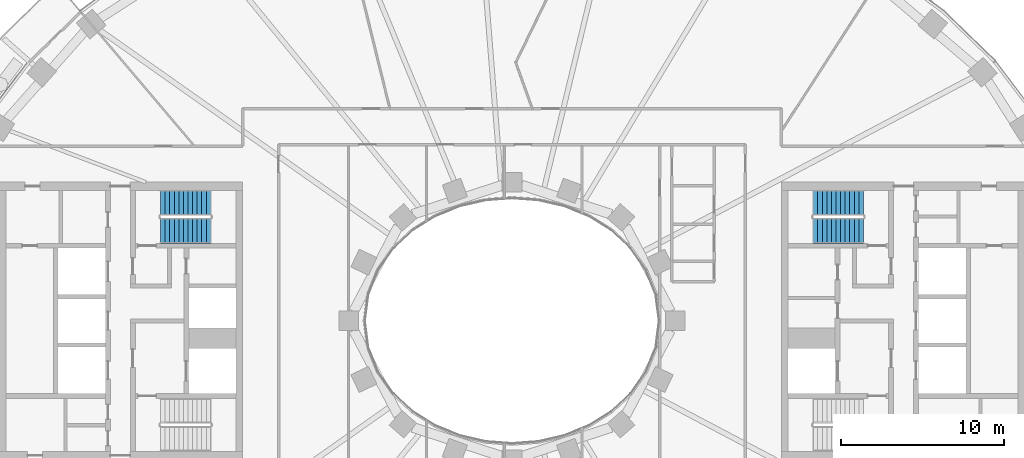
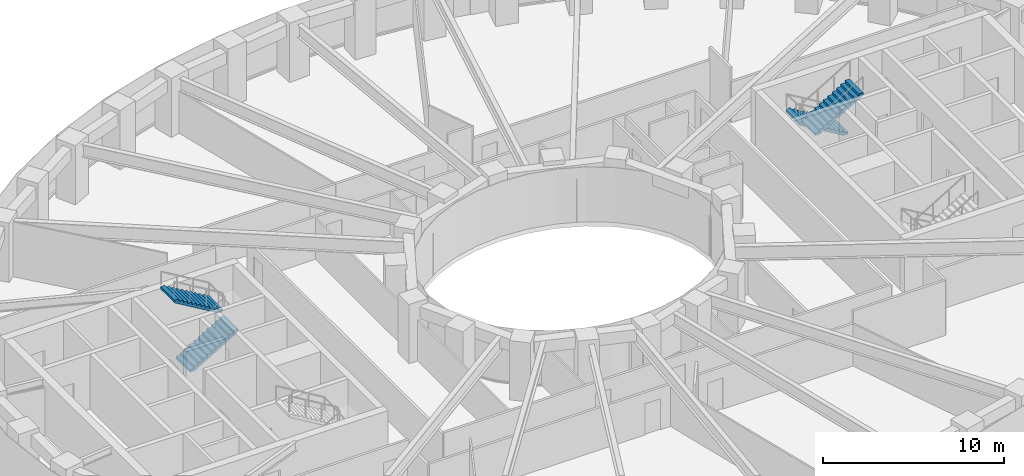
# One storey, part 7 of 16: 4 stair flights, 2 elements without a shape of their own.
"""IFC4 building model written with IfcOpenShell, lengths in metres."""

from ifc_helpers import new_model, si_unit, direction, frame, origin, place, context, subcontext, project, spatial, polyline, outline, extrude, material, type_object, element, aggregate, save


model = new_model("IFC4")

# Units and contexts
model_context = context("Model", 3, precision=1e-05, world=origin(), true_north=direction((0.0, 1.0)))
body_context = subcontext(model_context, "Body", "Model", "MODEL_VIEW")
ifc_project = project(units=[si_unit("LENGTHUNIT", "METRE"), si_unit("AREAUNIT", "SQUARE_METRE"), si_unit("VOLUMEUNIT", "CUBIC_METRE"), si_unit("PLANEANGLEUNIT", "RADIAN"), si_unit("MASSUNIT", "GRAM", prefix="KILO")], contexts=[model_context])

# Site, building, storey
site_placement = place(None, origin())
site = spatial("IfcSite", under=ifc_project, at=site_placement, CompositionType="ELEMENT")
building_placement = place(site_placement, origin())
building = spatial("IfcBuilding", under=site, at=building_placement, Name="Noorbagh Ring Tower", CompositionType="ELEMENT")
storey_placement = place(building_placement, frame((0.0, 0.0, 100.0)))
storey = spatial("IfcBuildingStorey", under=building, at=storey_placement, Name="L22", CompositionType="ELEMENT", Elevation=100.0)

# Stair, stair flights
ifc_material_1 = material(Name="Concrete C40/50", Category="concrete")
stair_type = type_object("IfcStairType", Name="CORE-STAIR", PredefinedType="HALF_TURN_STAIR", material=ifc_material_1)
stair_1_placement = place(storey_placement, origin())
stair_1 = element("IfcStair", 1, at=stair_1_placement, inside=storey, type_object=stair_type, Name="L22 Exit stair ST1", PredefinedType="HALF_TURN_STAIR")
ifc_material_2 = material(Name="Concrete C40/50", Category="concrete")
stair_flight_type = type_object("IfcStairFlightType", Name="CORE-STAIR-FLIGHT", PredefinedType="STRAIGHT", material=ifc_material_2)
stair_flight_1_placement = place(storey_placement, frame((-21.530029296875, 5.52490234375, 0.0), z_axis=(0.0, 0.0, 1.0), x_axis=(1.0, 0.0, 0.0)))
stair_flight_1 = element("IfcStairFlight", 2, at=stair_flight_1_placement, type_object=stair_flight_type, Name="ST1 flight 1", NumberOfRisers=12, NumberOfTreads=11, PredefinedType="STRAIGHT", RiserHeight=0.166666667, TreadLength=0.28, context=body_context, shape_type="SweptSolid", body=[
    extrude(outline(polyline([(0.0, 0.0), (0.0, 0.166748046875), (0.280029296875, 0.166748046875), (0.280029296875, 0.333251953125), (0.56005859375, 0.333251953125), (0.56005859375, 0.5), (0.840087890625, 0.5), (0.840087890625, 0.666748046875), (1.1201171875, 0.666748046875), (1.1201171875, 0.833251953125), (1.39990234375, 0.833251953125), (1.39990234375, 1.0), (1.679931640625, 1.0), (1.679931640625, 1.166748046875), (1.9599609375, 1.166748046875), (1.9599609375, 1.333251953125), (2.239990234375, 1.333251953125), (2.239990234375, 1.5), (2.52001953125, 1.5), (2.52001953125, 1.666748046875), (2.800048828125, 1.666748046875), (2.800048828125, 1.833251953125), (3.080078125, 1.833251953125), (3.080078125, 2.0), (3.080078125, 1.658935546875), (0.29296875, 0.0), (0.0, 0.0)])), frame((0.0, 0.77490234375, 0.0), z_axis=(0.0, -1.0, 0.0), x_axis=(1.0, 0.0, 0.0)), (0.0, 0.0, 1.0), 1.550048828125),
])
stair_flight_2_placement = place(storey_placement, frame((-18.449951171875, 7.22509765625, 2.0), z_axis=(0.0, 0.0, 1.0), x_axis=(-1.0, 0.0, 0.0)))
stair_flight_2 = element("IfcStairFlight", 3, at=stair_flight_2_placement, type_object=stair_flight_type, Name="ST1 flight 2", NumberOfRisers=12, NumberOfTreads=11, PredefinedType="STRAIGHT", RiserHeight=0.166666667, TreadLength=0.28, context=body_context, shape_type="SweptSolid", body=[
    extrude(outline(polyline([(0.0, 0.0), (0.0, 0.166748046875), (0.280029296875, 0.166748046875), (0.280029296875, 0.333251953125), (0.56005859375, 0.333251953125), (0.56005859375, 0.5), (0.840087890625, 0.5), (0.840087890625, 0.666748046875), (1.1201171875, 0.666748046875), (1.1201171875, 0.833251953125), (1.39990234375, 0.833251953125), (1.39990234375, 1.0), (1.679931640625, 1.0), (1.679931640625, 1.166748046875), (1.9599609375, 1.166748046875), (1.9599609375, 1.333251953125), (2.239990234375, 1.333251953125), (2.239990234375, 1.5), (2.52001953125, 1.5), (2.52001953125, 1.666748046875), (2.800048828125, 1.666748046875), (2.800048828125, 1.833251953125), (3.080078125, 1.833251953125), (3.080078125, 2.0), (3.080078125, 1.658935546875), (0.29296875, 0.0), (0.0, 0.0)])), frame((0.0, 0.77490234375, 0.0), z_axis=(0.0, -1.0, 0.0), x_axis=(1.0, 0.0, 0.0)), (0.0, 0.0, 1.0), 1.550048828125),
])
aggregate(stair_1, [stair_flight_1, stair_flight_2])

stair_2_placement = place(storey_placement, origin())
stair_2 = element("IfcStair", 4, at=stair_2_placement, inside=storey, type_object=stair_type, Name="L22 Exit stair ST3", PredefinedType="HALF_TURN_STAIR")
stair_flight_3_placement = place(storey_placement, frame((21.530029296875, 7.22509765625, 0.0), z_axis=(0.0, 0.0, 1.0), x_axis=(-1.0, 0.0, 0.0)))
stair_flight_3 = element("IfcStairFlight", 5, at=stair_flight_3_placement, type_object=stair_flight_type, Name="ST3 flight 1", NumberOfRisers=12, NumberOfTreads=11, PredefinedType="STRAIGHT", RiserHeight=0.166666667, TreadLength=0.28, context=body_context, shape_type="SweptSolid", body=[
    extrude(outline(polyline([(0.0, 0.0), (0.0, 0.166748046875), (0.280029296875, 0.166748046875), (0.280029296875, 0.333251953125), (0.56005859375, 0.333251953125), (0.56005859375, 0.5), (0.840087890625, 0.5), (0.840087890625, 0.666748046875), (1.1201171875, 0.666748046875), (1.1201171875, 0.833251953125), (1.39990234375, 0.833251953125), (1.39990234375, 1.0), (1.679931640625, 1.0), (1.679931640625, 1.166748046875), (1.9599609375, 1.166748046875), (1.9599609375, 1.333251953125), (2.239990234375, 1.333251953125), (2.239990234375, 1.5), (2.52001953125, 1.5), (2.52001953125, 1.666748046875), (2.800048828125, 1.666748046875), (2.800048828125, 1.833251953125), (3.080078125, 1.833251953125), (3.080078125, 2.0), (3.080078125, 1.658935546875), (0.29296875, 0.0), (0.0, 0.0)])), frame((0.0, 0.77490234375, 0.0), z_axis=(0.0, -1.0, 0.0), x_axis=(1.0, 0.0, 0.0)), (0.0, 0.0, 1.0), 1.550048828125),
])
stair_flight_4_placement = place(storey_placement, frame((18.449951171875, 5.52490234375, 2.0), z_axis=(0.0, 0.0, 1.0), x_axis=(1.0, 0.0, 0.0)))
stair_flight_4 = element("IfcStairFlight", 6, at=stair_flight_4_placement, type_object=stair_flight_type, Name="ST3 flight 2", NumberOfRisers=12, NumberOfTreads=11, PredefinedType="STRAIGHT", RiserHeight=0.166666667, TreadLength=0.28, context=body_context, shape_type="SweptSolid", body=[
    extrude(outline(polyline([(0.0, 0.0), (0.0, 0.166748046875), (0.280029296875, 0.166748046875), (0.280029296875, 0.333251953125), (0.56005859375, 0.333251953125), (0.56005859375, 0.5), (0.840087890625, 0.5), (0.840087890625, 0.666748046875), (1.1201171875, 0.666748046875), (1.1201171875, 0.833251953125), (1.39990234375, 0.833251953125), (1.39990234375, 1.0), (1.679931640625, 1.0), (1.679931640625, 1.166748046875), (1.9599609375, 1.166748046875), (1.9599609375, 1.333251953125), (2.239990234375, 1.333251953125), (2.239990234375, 1.5), (2.52001953125, 1.5), (2.52001953125, 1.666748046875), (2.800048828125, 1.666748046875), (2.800048828125, 1.833251953125), (3.080078125, 1.833251953125), (3.080078125, 2.0), (3.080078125, 1.658935546875), (0.29296875, 0.0), (0.0, 0.0)])), frame((0.0, 0.77490234375, 0.0), z_axis=(0.0, -1.0, 0.0), x_axis=(1.0, 0.0, 0.0)), (0.0, 0.0, 1.0), 1.550048828125),
])
aggregate(stair_2, [stair_flight_3, stair_flight_4])

save(model, "model.ifc")
